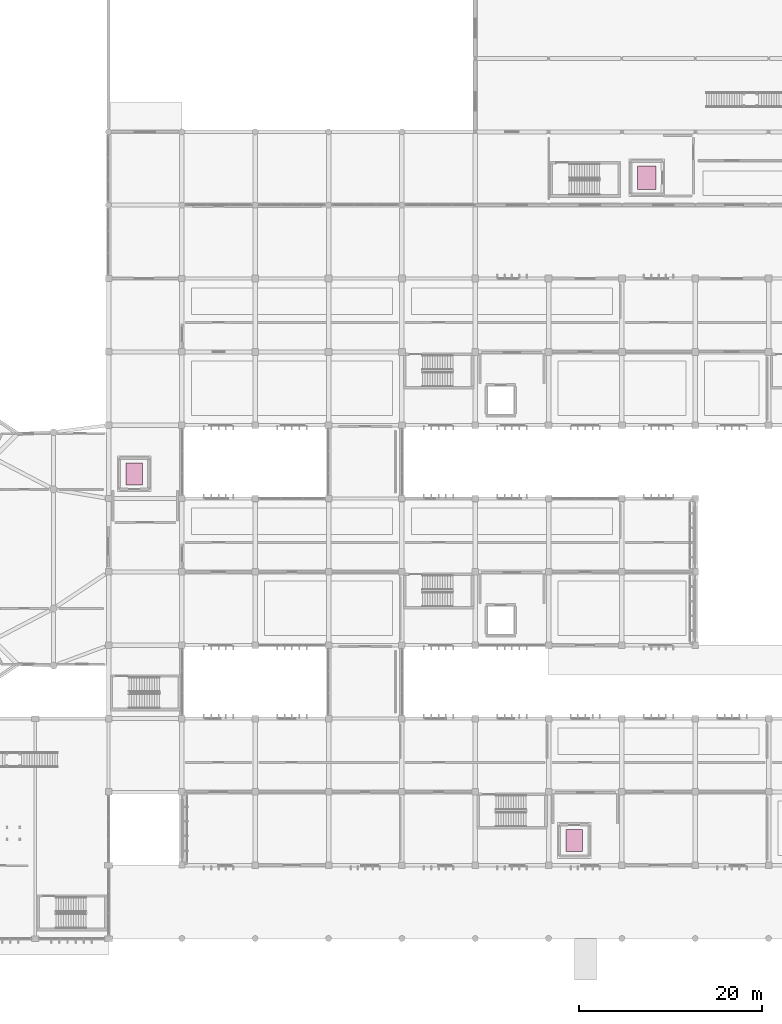
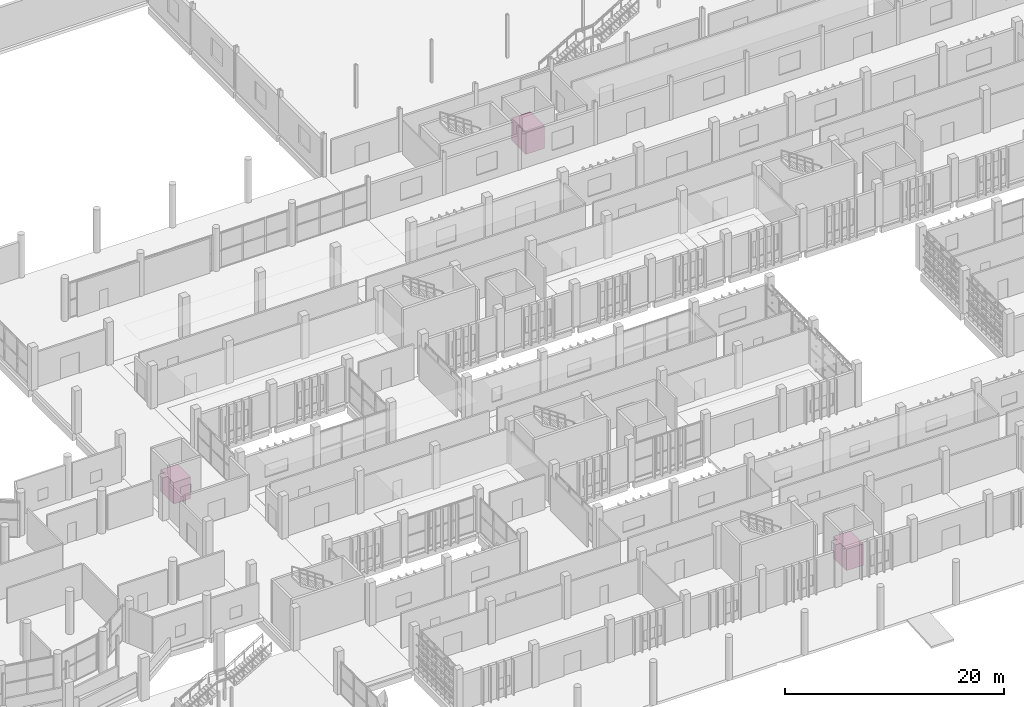
# One storey, part 117 of 117: 3 transport elements.
"""IFC4 building model written with IfcOpenShell, lengths in metres."""

from ifc_helpers import new_model, si_unit, direction, frame, origin, origin_2d, place, context, subcontext, project, spatial, rectangle, extrude, material, type_object, element, save


model = new_model("IFC4")

# Units and contexts
model_context = context("Model", 3, precision=1e-05, world=origin(), true_north=direction((0.0, 1.0)))
body_context = subcontext(model_context, "Body", "Model", "MODEL_VIEW")
ifc_project = project(units=[si_unit("LENGTHUNIT", "METRE"), si_unit("AREAUNIT", "SQUARE_METRE"), si_unit("VOLUMEUNIT", "CUBIC_METRE"), si_unit("PLANEANGLEUNIT", "RADIAN"), si_unit("MASSUNIT", "GRAM", prefix="KILO")], contexts=[model_context])

# Site, building, storey
site_placement = place(None, origin())
site = spatial("IfcSite", under=ifc_project, at=site_placement, CompositionType="ELEMENT")
building_placement = place(site_placement, origin())
building = spatial("IfcBuilding", under=site, at=building_placement, Name="Jelvoka-Kovrelna Polytechnic", CompositionType="ELEMENT")
storey_placement = place(building_placement, origin())
storey = spatial("IfcBuildingStorey", under=building, at=storey_placement, Name="L01", CompositionType="ELEMENT", Elevation=0.0)

# Transport elements
ifc_material_1 = material(Name="Heavy-duty stainless steel goods lift car", Category="steel")
transport_element_type_1 = type_object("IfcTransportElementType", Name="Lift_Goods_2000x2600", PredefinedType="ELEVATOR", material=ifc_material_1)
transport_element_placement = place(storey_placement, frame((106.699951171875, 83.0, 0.0), z_axis=(0.0, 0.0, 1.0), x_axis=(1.0, 0.0, 0.0)))
element("IfcTransportElement", 1, at=transport_element_placement, inside=storey, type_object=transport_element_type_1, Name="Elevator car LF-G1", PredefinedType="ELEVATOR", context=body_context, shape_type="SweptSolid", body=[
    extrude(rectangle(XDim=2.0, YDim=2.60009765625, at=origin_2d()), origin(), (0.0, 0.0, 1.0), 2.5),
])
ifc_material_2 = material(Name="Brushed stainless steel lift car", Category="steel")
transport_element_type_2 = type_object("IfcTransportElementType", Name="Lift_Passenger_1800x2400", PredefinedType="ELEVATOR", material=ifc_material_2)
for number, where, z_axis, x_axis, name in (
    (2, (98.800048828125, 10.699951171875, 0.0), (0.0, 0.0, 1.0), (1.0, 0.0, 0.0), "Elevator car LF-P3"),
    (3, (50.800048828125, 50.699951171875, 0.0), (0.0, 0.0, 1.0), (1.0, 0.0, 0.0), "Elevator car LF-P4"),
):
    element("IfcTransportElement", number, at=place(storey_placement, frame(where, z_axis=z_axis, x_axis=x_axis)), inside=storey, type_object=transport_element_type_2, Name=name, PredefinedType="ELEVATOR", context=body_context, shape_type="SweptSolid", body=[
        extrude(rectangle(XDim=1.800048828125, YDim=2.39990234375, at=origin_2d()), origin(), (0.0, 0.0, 1.0), 2.39990234375),
    ])

save(model, "model.ifc")
